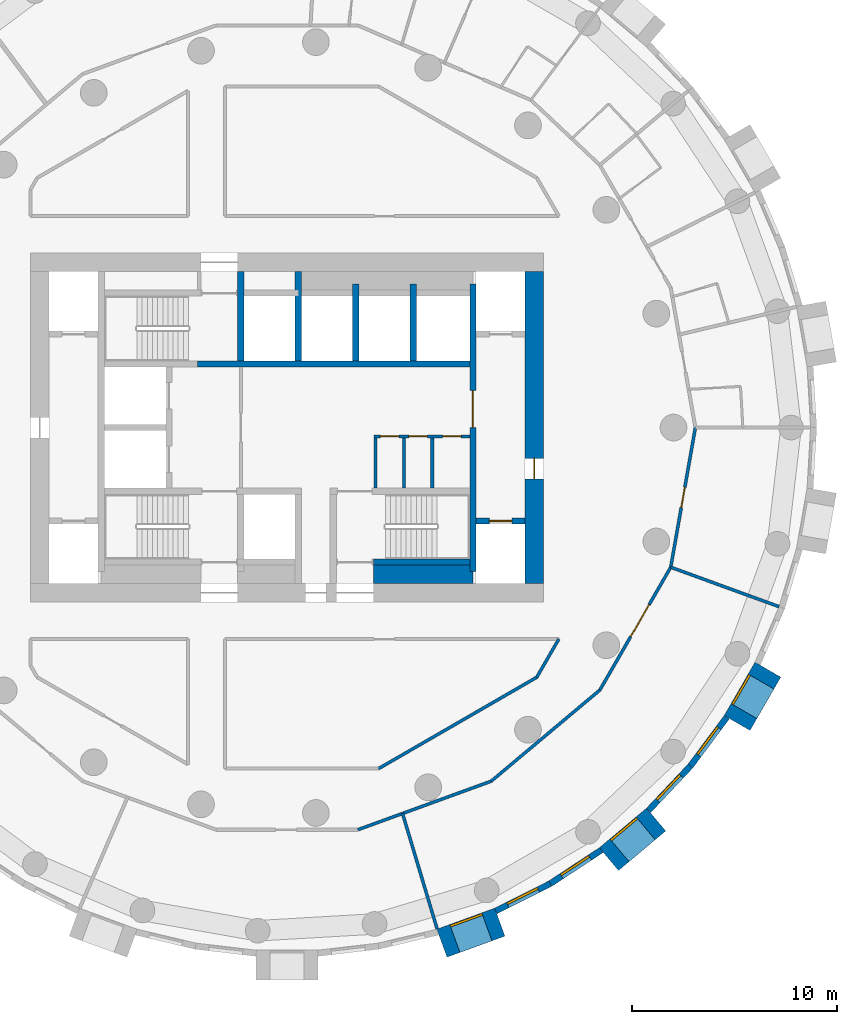
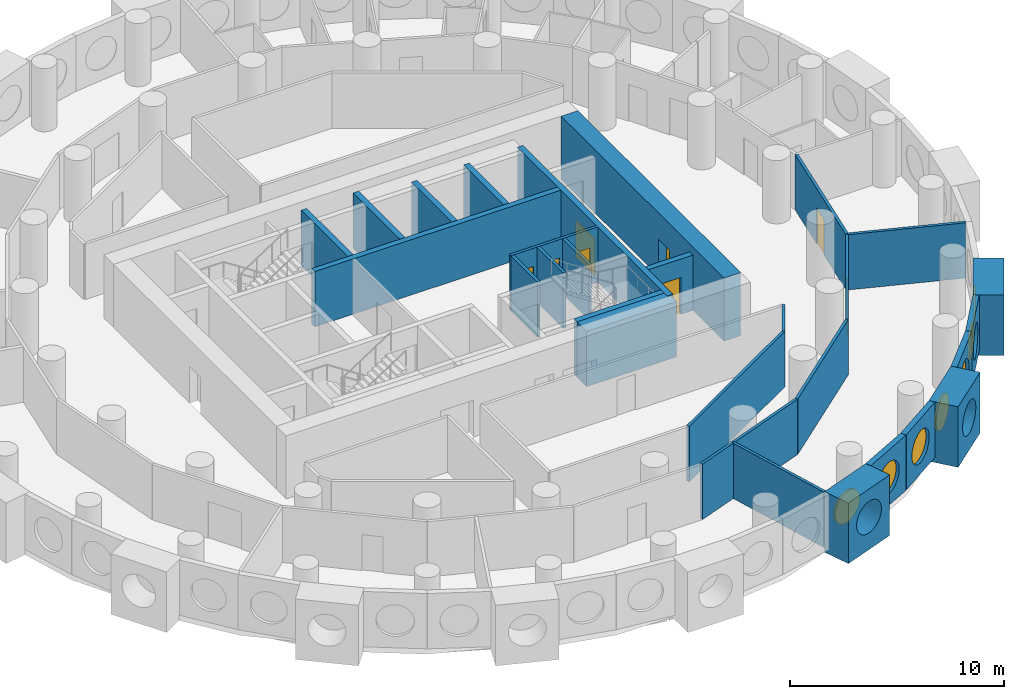
# One storey, part 4 of 9: 29 walls, 8 doors, 7 windows, 15 openings.
"""IFC4 building model written with IfcOpenShell, lengths in metres."""

from ifc_helpers import new_model, si_unit, direction, frame, frame_2d, origin, origin_2d, place, context, subcontext, project, spatial, rectangle, circle, extrude, material, layer, layer_set, type_object, element, fill, save


model = new_model("IFC4")

# Units and contexts
model_context = context("Model", 3, precision=1e-05, world=origin(), true_north=direction((0.0, 1.0)))
body_context = subcontext(model_context, "Body", "Model", "MODEL_VIEW")
ifc_project = project(units=[si_unit("LENGTHUNIT", "METRE"), si_unit("AREAUNIT", "SQUARE_METRE"), si_unit("VOLUMEUNIT", "CUBIC_METRE"), si_unit("PLANEANGLEUNIT", "RADIAN"), si_unit("MASSUNIT", "GRAM", prefix="KILO")], contexts=[model_context])

# Site, building, storey
site_placement = place(None, origin())
site = spatial("IfcSite", under=ifc_project, at=site_placement, CompositionType="ELEMENT")
building_placement = place(site_placement, origin())
building = spatial("IfcBuilding", under=site, at=building_placement, Name="Tracery Tower", CompositionType="ELEMENT")
storey_placement = place(building_placement, frame((0.0, 0.0, 216.0)))
storey = spatial("IfcBuildingStorey", under=building, at=storey_placement, Name="L56", CompositionType="ELEMENT", Elevation=216.0)

# Wall
ifc_material_1 = material(Name="Plasterboard on steel studs", Category="steel")
ifc_layer_1 = layer(ifc_material_1, 0.14990234375)
ifc_layer_set_1 = layer_set([ifc_layer_1], Name="Core room partition 150")
wall_type_1 = type_object("IfcWallType", Name="Core room partition 150", PredefinedType="SOLIDWALL", material=ifc_layer_set_1)
wall_1_placement = place(storey_placement, frame((4.300048828125, -2.949951171875, 0.0), z_axis=(0.0, 0.0, 1.0), x_axis=(0.0, 1.0, 0.0)))
element("IfcWall", 1, at=wall_1_placement, inside=storey, type_object=wall_type_1, Name="L56 slot W", PredefinedType="SOLIDWALL", context=body_context, shape_type="SweptSolid", body=[
    extrude(rectangle(XDim=2.449951171875, YDim=0.14990234375, at=frame_2d((1.22509765625, 0.0))), origin(), (0.0, 0.0, 1.0), 3.14990234375),
])

# Wall, openings, doors
wall_2_placement = place(storey_placement, frame((4.22509765625, -0.425048828125, 0.0), z_axis=(0.0, 0.0, 1.0), x_axis=(1.0, 0.0, 0.0)))
wall_2 = element("IfcWall", 2, at=wall_2_placement, inside=storey, type_object=wall_type_1, Name="L56 slot N", PredefinedType="SOLIDWALL", context=body_context, shape_type="SweptSolid", body=[
    extrude(rectangle(XDim=4.6748046875, YDim=0.14990234375, at=frame_2d((2.33740234375, 0.0))), origin(), (0.0, 0.0, 1.0), 3.14990234375),
])
opening_1_placement = place(wall_2_placement, frame((0.324951171875, 0.0, 0.0)))
opening_1 = element("IfcOpeningElement", 3, at=opening_1_placement, cuts=wall_2, Name="Opening KD27", PredefinedType="OPENING", context=body_context, shape_type="SweptSolid", body=[
    extrude(rectangle(XDim=0.89990234375, YDim=2.10009765625, at=frame_2d((0.449951171875, 1.050048828125))), frame((0.0, 0.074951171875, 0.0), z_axis=(0.0, -1.0, 0.0), x_axis=(1.0, 0.0, 0.0)), (0.0, 0.0, 1.0), 0.14990234375),
])
opening_2_placement = place(wall_2_placement, frame((1.71240234375, 0.0, 0.0)))
opening_2 = element("IfcOpeningElement", 4, at=opening_2_placement, cuts=wall_2, Name="Opening KD26", PredefinedType="OPENING", context=body_context, shape_type="SweptSolid", body=[
    extrude(rectangle(XDim=0.89990234375, YDim=2.10009765625, at=frame_2d((0.449951171875, 1.050048828125))), frame((0.0, 0.074951171875, 0.0), z_axis=(0.0, -1.0, 0.0), x_axis=(1.0, 0.0, 0.0)), (0.0, 0.0, 1.0), 0.14990234375),
])
opening_3_placement = place(wall_2_placement, frame((3.35009765625, 0.0, 0.0)))
opening_3 = element("IfcOpeningElement", 5, at=opening_3_placement, cuts=wall_2, Name="Opening KD22", PredefinedType="OPENING", context=body_context, shape_type="SweptSolid", body=[
    extrude(rectangle(XDim=0.89990234375, YDim=2.10009765625, at=frame_2d((0.449951171875, 1.050048828125))), frame((0.0, 0.074951171875, 0.0), z_axis=(0.0, -1.0, 0.0), x_axis=(1.0, 0.0, 0.0)), (0.0, 0.0, 1.0), 0.14990234375),
])
ifc_material_2 = material(Name="Timber door leaf", Category="wood")
door_type_1 = type_object("IfcDoorType", Name="Core WC door 900", OperationType="NOTDEFINED", PredefinedType="DOOR", material=ifc_material_2)
door_1_placement = place(opening_3_placement, origin())
door_1 = element("IfcDoor", 6, at=door_1_placement, inside=storey, type_object=door_type_1, Name="Core door", OperationType="SINGLE_SWING_RIGHT", OverallHeight=2.10009765625, OverallWidth=0.89990234375, PredefinedType="DOOR", context=body_context, shape_type="SweptSolid", body=[
    extrude(rectangle(XDim=0.89990234375, YDim=2.10009765625, at=frame_2d((0.449951171875, 1.050048828125))), frame((0.0, 0.02490234375, 0.0), z_axis=(0.0, -1.0, 0.0), x_axis=(1.0, 0.0, 0.0)), (0.0, 0.0, 1.0), 0.050048828125),
])
fill(opening_3, door_1)
ifc_material_3 = material(Name="Timber door leaf", Category="wood")
door_type_2 = type_object("IfcDoorType", Name="Core store door 900", OperationType="NOTDEFINED", PredefinedType="DOOR", material=ifc_material_3)
door_2_placement = place(opening_1_placement, origin())
door_2 = element("IfcDoor", 7, at=door_2_placement, inside=storey, type_object=door_type_2, Name="Core door", OperationType="SINGLE_SWING_RIGHT", OverallHeight=2.10009765625, OverallWidth=0.89990234375, PredefinedType="DOOR", context=body_context, shape_type="SweptSolid", body=[
    extrude(rectangle(XDim=0.89990234375, YDim=2.10009765625, at=frame_2d((0.449951171875, 1.050048828125))), frame((0.0, 0.02490234375, 0.0), z_axis=(0.0, -1.0, 0.0), x_axis=(1.0, 0.0, 0.0)), (0.0, 0.0, 1.0), 0.050048828125),
])
fill(opening_1, door_2)
door_3_placement = place(opening_2_placement, origin())
door_3 = element("IfcDoor", 8, at=door_3_placement, inside=storey, type_object=door_type_2, Name="Core door", OperationType="SINGLE_SWING_LEFT", OverallHeight=2.10009765625, OverallWidth=0.89990234375, PredefinedType="DOOR", context=body_context, shape_type="SweptSolid", body=[
    extrude(rectangle(XDim=0.89990234375, YDim=2.10009765625, at=frame_2d((0.449951171875, 1.050048828125))), frame((0.0, 0.02490234375, 0.0), z_axis=(0.0, -1.0, 0.0), x_axis=(1.0, 0.0, 0.0)), (0.0, 0.0, 1.0), 0.050048828125),
])
fill(opening_2, door_3)

# Walls
for number, where, z_axis, x_axis, name in (
    (9, (5.699951171875, -2.949951171875, 0.0), (0.0, 0.0, 1.0), (0.0, 1.0, 0.0), "L56 slot sep 1"),
    (10, (7.074951171875, -2.949951171875, 0.0), (0.0, 0.0, 1.0), (0.0, 1.0, 0.0), "L56 slot sep 2"),
):
    element("IfcWall", number, at=place(storey_placement, frame(where, z_axis=z_axis, x_axis=x_axis)), inside=storey, type_object=wall_type_1, Name=name, PredefinedType="SOLIDWALL", context=body_context, shape_type="SweptSolid", body=[
        extrude(rectangle(XDim=2.449951171875, YDim=0.14990234375, at=frame_2d((1.22509765625, 0.0))), origin(), (0.0, 0.0, 1.0), 3.14990234375),
    ])
ifc_material_4 = material(Name="Concrete C50/60", Category="concrete")
ifc_layer_2 = layer(ifc_material_4, 0.89990234375)
ifc_layer_set_2 = layer_set([ifc_layer_2], Name="Core strip wall 900 C50")
wall_type_2 = type_object("IfcWallType", Name="Core strip wall 900 C50", PredefinedType="SOLIDWALL", material=ifc_layer_set_2)
wall_3_placement = place(storey_placement, frame((4.199951171875, -7.14990234375, 0.0), z_axis=(0.0, 0.0, 1.0), x_axis=(1.0, 0.0, 0.0)))
element("IfcWall", 11, at=wall_3_placement, inside=storey, type_object=wall_type_2, Name="L56 F thick S E", PredefinedType="SOLIDWALL", context=body_context, shape_type="SweptSolid", body=[
    extrude(rectangle(XDim=4.85009765625, YDim=0.89990234375, at=frame_2d((2.425048828125, 0.0))), origin(), (0.0, 0.0, 1.0), 3.14990234375),
])

# Wall, opening, door
ifc_material_5 = material(Name="Concrete C50/60", Category="concrete")
ifc_layer_3 = layer(ifc_material_5, 0.89990234375)
ifc_layer_set_3 = layer_set([ifc_layer_3], Name="Core wall 900 C50")
wall_type_3 = type_object("IfcWallType", Name="Core wall 900 C50", PredefinedType="SOLIDWALL", material=ifc_layer_set_3)
wall_4_placement = place(storey_placement, frame((12.050048828125, -7.60009765625, 0.0), z_axis=(0.0, 0.0, 1.0), x_axis=(0.0, 1.0, 0.0)))
wall_4 = element("IfcWall", 12, at=wall_4_placement, inside=storey, type_object=wall_type_3, Name="L56 outer E", PredefinedType="SOLIDWALL", context=body_context, shape_type="SweptSolid", body=[
    extrude(rectangle(XDim=15.2001953125, YDim=0.89990234375, at=frame_2d((7.60009765625, 0.0))), origin(), (0.0, 0.0, 1.0), 3.60009765625),
])
opening_4_placement = place(wall_4_placement, frame((5.10009765625, 0.0, 0.0)))
opening_4 = element("IfcOpeningElement", 13, at=opening_4_placement, cuts=wall_4, Name="Opening KD18", PredefinedType="OPENING", context=body_context, shape_type="SweptSolid", body=[
    extrude(rectangle(XDim=1.0, YDim=2.10009765625, at=frame_2d((0.5, 1.050048828125))), frame((0.0, 0.449951171875, 0.0), z_axis=(0.0, -1.0, 0.0), x_axis=(1.0, 0.0, 0.0)), (0.0, 0.0, 1.0), 0.89990234375),
])
ifc_material_6 = material(Name="Steel fire door", Category="steel")
door_type_3 = type_object("IfcDoorType", Name="Core exit door 1000", OperationType="NOTDEFINED", PredefinedType="DOOR", material=ifc_material_6)
door_4_placement = place(opening_4_placement, origin())
door_4 = element("IfcDoor", 14, at=door_4_placement, inside=storey, type_object=door_type_3, Name="Core exit door", OperationType="DOUBLE_DOOR_SINGLE_SWING", OverallHeight=2.10009765625, OverallWidth=1.0, PredefinedType="DOOR", context=body_context, shape_type="SweptSolid", body=[
    extrude(rectangle(XDim=1.0, YDim=2.10009765625, at=frame_2d((0.5, 1.050048828125))), frame((0.0, 0.02490234375, 0.0), z_axis=(0.0, -1.0, 0.0), x_axis=(1.0, 0.0, 0.0)), (0.0, 0.0, 1.0), 0.050048828125),
])
fill(opening_4, door_4)

# Wall, opening, window
ifc_material_7 = material(Name="Precast concrete C50/60", Category="concrete")
ifc_layer_4 = layer(ifc_material_7, 1.449951171875)
ifc_layer_set_4 = layer_set([ifc_layer_4], Name="Deep-set bay unit 3000 x 3450, slab edge 300")
wall_type_4 = type_object("IfcWallType", Name="Deep-set bay unit 3000 x 3450, slab edge 300", PredefinedType="ELEMENTEDWALL", material=ifc_layer_set_4)
wall_5_placement = place(storey_placement, frame((7.544189453125, -25.11328125, -0.300048828125), z_axis=(0.0, 0.0, 1.0), x_axis=(0.939686455819, 0.342037080957, 0.0)))
wall_5 = element("IfcWall", 15, at=wall_5_placement, inside=storey, type_object=wall_type_4, Name="Deep-set bay unit 44 at L56", PredefinedType="ELEMENTEDWALL", context=body_context, shape_type="SweptSolid", body=[
    extrude(rectangle(XDim=3.0, YDim=1.449951171875, at=frame_2d((1.5, 0.0))), origin(), (0.0, 0.0, 1.0), 3.449951171875),
])
opening_5_placement = place(wall_5_placement, frame((1.5, 0.0, 1.85009765625)))
opening_5 = element("IfcOpeningElement", 16, at=opening_5_placement, cuts=wall_5, Name="Opening WN1", PredefinedType="OPENING", context=body_context, shape_type="SweptSolid", body=[
    extrude(circle(Radius=0.9000244140625, at=origin_2d()), frame((0.0, 0.73486328125, 0.0), z_axis=(0.0, -1.0, 0.0), x_axis=(1.0, 0.0, 0.0)), (0.0, 0.0, 1.0), 1.469970703125),
])
ifc_material_8 = material(Name="Aluminium frame with tinted double glazing", Category="aluminium")
window_type = type_object("IfcWindowType", Name="Round window 1800", PartitioningType="SINGLE_PANEL", PredefinedType="WINDOW", material=ifc_material_8)
window_1_placement = place(opening_5_placement, origin())
window_1 = element("IfcWindow", 17, at=window_1_placement, inside=storey, type_object=window_type, Name="Round window 44 at L56", OverallHeight=1.800048828125, OverallWidth=1.800048828125, PartitioningType="SINGLE_PANEL", PredefinedType="WINDOW", context=body_context, shape_type="SweptSolid", body=[
    extrude(circle(Radius=0.9000244140625, at=origin_2d()), frame((0.0, 0.69482421875, 0.0), z_axis=(0.0, -1.0, 0.0), x_axis=(1.0, 0.0, 0.0)), (0.0, 0.0, 1.0), 0.10009765625),
])
fill(opening_5, window_1)

wall_6_placement = place(storey_placement, frame((15.678466796875, -21.0185546875, -0.300048828125), z_axis=(0.0, 0.0, 1.0), x_axis=(0.766022196139, 0.642814121673, 0.0)))
wall_6 = element("IfcWall", 18, at=wall_6_placement, inside=storey, type_object=wall_type_4, Name="Deep-set bay unit 47 at L56", PredefinedType="ELEMENTEDWALL", context=body_context, shape_type="SweptSolid", body=[
    extrude(rectangle(XDim=3.0, YDim=1.449951171875, at=frame_2d((1.5, 0.0))), origin(), (0.0, 0.0, 1.0), 3.449951171875),
])
opening_6_placement = place(wall_6_placement, frame((1.5, 0.0, 1.85009765625)))
opening_6 = element("IfcOpeningElement", 19, at=opening_6_placement, cuts=wall_6, Name="Opening WN1", PredefinedType="OPENING", context=body_context, shape_type="SweptSolid", body=[
    extrude(circle(Radius=0.9000244140625, at=origin_2d()), frame((0.0, 0.73486328125, 0.0), z_axis=(0.0, -1.0, 0.0), x_axis=(1.0, 0.0, 0.0)), (0.0, 0.0, 1.0), 1.469970703125),
])
window_2_placement = place(opening_6_placement, origin())
window_2 = element("IfcWindow", 20, at=window_2_placement, inside=storey, type_object=window_type, Name="Round window 47 at L56", OverallHeight=1.800048828125, OverallWidth=1.800048828125, PartitioningType="SINGLE_PANEL", PredefinedType="WINDOW", context=body_context, shape_type="SweptSolid", body=[
    extrude(circle(Radius=0.9000244140625, at=origin_2d()), frame((0.0, 0.69482421875, 0.0), z_axis=(0.0, -1.0, 0.0), x_axis=(1.0, 0.0, 0.0)), (0.0, 0.0, 1.0), 0.10009765625),
])
fill(opening_6, window_2)

wall_7_placement = place(storey_placement, frame((21.921630859375, -14.388671875, -0.300048828125), z_axis=(0.0, 0.0, 1.0), x_axis=(0.499990139034, 0.866031096941, 0.0)))
wall_7 = element("IfcWall", 21, at=wall_7_placement, inside=storey, type_object=wall_type_4, Name="Deep-set bay unit 50 at L56", PredefinedType="ELEMENTEDWALL", context=body_context, shape_type="SweptSolid", body=[
    extrude(rectangle(XDim=3.0, YDim=1.449951171875, at=frame_2d((1.5, 0.0))), origin(), (0.0, 0.0, 1.0), 3.449951171875),
])
opening_7_placement = place(wall_7_placement, frame((1.5, 0.0, 1.85009765625)))
opening_7 = element("IfcOpeningElement", 22, at=opening_7_placement, cuts=wall_7, Name="Opening WN1", PredefinedType="OPENING", context=body_context, shape_type="SweptSolid", body=[
    extrude(circle(Radius=0.9000244140625, at=origin_2d()), frame((0.0, 0.73486328125, 0.0), z_axis=(0.0, -1.0, 0.0), x_axis=(1.0, 0.0, 0.0)), (0.0, 0.0, 1.0), 1.469970703125),
])
window_3_placement = place(opening_7_placement, origin())
window_3 = element("IfcWindow", 23, at=window_3_placement, inside=storey, type_object=window_type, Name="Round window 50 at L56", OverallHeight=1.800048828125, OverallWidth=1.800048828125, PartitioningType="SINGLE_PANEL", PredefinedType="WINDOW", context=body_context, shape_type="SweptSolid", body=[
    extrude(circle(Radius=0.9000244140625, at=origin_2d()), frame((0.0, 0.69482421875, 0.0), z_axis=(0.0, -1.0, 0.0), x_axis=(1.0, 0.0, 0.0)), (0.0, 0.0, 1.0), 0.10009765625),
])
fill(opening_7, window_3)

ifc_material_9 = material(Name="Precast concrete C50/60", Category="concrete")
ifc_layer_5 = layer(ifc_material_9, 0.300048828125)
ifc_layer_set_5 = layer_set([ifc_layer_5], Name="Facade panel 3000 x 3150")
wall_type_5 = type_object("IfcWallType", Name="Facade panel 3000 x 3150", PredefinedType="SOLIDWALL", material=ifc_layer_set_5)
wall_8_placement = place(storey_placement, frame((10.1669921875, -23.545654296875, 0.0), z_axis=(0.0, 0.0, 1.0), x_axis=(0.893637442555, 0.448789618045, 0.0)))
wall_8 = element("IfcWall", 24, at=wall_8_placement, inside=storey, type_object=wall_type_5, Name="Facade panel 45 at L56", PredefinedType="SOLIDWALL", context=body_context, shape_type="SweptSolid", body=[
    extrude(rectangle(XDim=2.972900390625, YDim=0.300048828125, at=frame_2d((1.486328125, 0.0))), origin(), (0.0, 0.0, 1.0), 3.14990234375),
])
opening_8_placement = place(wall_8_placement, frame((1.486328125, 0.0, 1.5498046875)))
opening_8 = element("IfcOpeningElement", 25, at=opening_8_placement, cuts=wall_8, Name="Opening WN1", PredefinedType="OPENING", context=body_context, shape_type="SweptSolid", body=[
    extrude(circle(Radius=0.9000244140625, at=origin_2d()), frame((0.0, 0.159912109375, 0.0), z_axis=(0.0, -1.0, 0.0), x_axis=(1.0, 0.0, 0.0)), (0.0, 0.0, 1.0), 0.320068359375),
])
window_4_placement = place(opening_8_placement, origin())
window_4 = element("IfcWindow", 26, at=window_4_placement, inside=storey, type_object=window_type, Name="Round window 45 at L56", OverallHeight=1.800048828125, OverallWidth=1.800048828125, PartitioningType="SINGLE_PANEL", PredefinedType="WINDOW", context=body_context, shape_type="SweptSolid", body=[
    extrude(circle(Radius=0.9000244140625, at=origin_2d()), frame((0.0, 0.1201171875, 0.0), z_axis=(0.0, -1.0, 0.0), x_axis=(1.0, 0.0, 0.0)), (0.0, 0.0, 1.0), 0.10009765625),
])
fill(opening_8, window_4)

wall_9_placement = place(storey_placement, frame((12.82373046875, -22.21142578125, 0.0), z_axis=(0.0, 0.0, 1.0), x_axis=(0.835470659512, 0.549535055382, 0.0)))
wall_9 = element("IfcWall", 27, at=wall_9_placement, inside=storey, type_object=wall_type_5, Name="Facade panel 46 at L56", PredefinedType="SOLIDWALL", context=body_context, shape_type="SweptSolid", body=[
    extrude(rectangle(XDim=2.97314453125, YDim=0.300048828125, at=frame_2d((1.486572265625, 0.0))), origin(), (0.0, 0.0, 1.0), 3.14990234375),
])
opening_9_placement = place(wall_9_placement, frame((1.486328125, 0.0, 1.5498046875)))
opening_9 = element("IfcOpeningElement", 28, at=opening_9_placement, cuts=wall_9, Name="Opening WN1", PredefinedType="OPENING", context=body_context, shape_type="SweptSolid", body=[
    extrude(circle(Radius=0.9000244140625, at=origin_2d()), frame((0.0, 0.159912109375, 0.0), z_axis=(0.0, -1.0, 0.0), x_axis=(1.0, 0.0, 0.0)), (0.0, 0.0, 1.0), 0.320068359375),
])
window_5_placement = place(opening_9_placement, origin())
window_5 = element("IfcWindow", 29, at=window_5_placement, inside=storey, type_object=window_type, Name="Round window 46 at L56", OverallHeight=1.800048828125, OverallWidth=1.800048828125, PartitioningType="SINGLE_PANEL", PredefinedType="WINDOW", context=body_context, shape_type="SweptSolid", body=[
    extrude(circle(Radius=0.9000244140625, at=origin_2d()), frame((0.0, 0.1201171875, 0.0), z_axis=(0.0, -1.0, 0.0), x_axis=(1.0, 0.0, 0.0)), (0.0, 0.0, 1.0), 0.10009765625),
])
fill(opening_9, window_5)

wall_10_placement = place(storey_placement, frame((17.60693359375, -18.648193359375, 0.0), z_axis=(0.0, 0.0, 1.0), x_axis=(0.686235184166, 0.727379730273, 0.0)))
wall_10 = element("IfcWall", 30, at=wall_10_placement, inside=storey, type_object=wall_type_5, Name="Facade panel 48 at L56", PredefinedType="SOLIDWALL", context=body_context, shape_type="SweptSolid", body=[
    extrude(rectangle(XDim=2.972900390625, YDim=0.300048828125, at=frame_2d((1.486328125, 0.0))), origin(), (0.0, 0.0, 1.0), 3.14990234375),
])
opening_10_placement = place(wall_10_placement, frame((1.486328125, 0.0, 1.5498046875)))
opening_10 = element("IfcOpeningElement", 31, at=opening_10_placement, cuts=wall_10, Name="Opening WN1", PredefinedType="OPENING", context=body_context, shape_type="SweptSolid", body=[
    extrude(circle(Radius=0.9000244140625, at=origin_2d()), frame((0.0, 0.159912109375, 0.0), z_axis=(0.0, -1.0, 0.0), x_axis=(1.0, 0.0, 0.0)), (0.0, 0.0, 1.0), 0.320068359375),
])
window_6_placement = place(opening_10_placement, origin())
window_6 = element("IfcWindow", 32, at=window_6_placement, inside=storey, type_object=window_type, Name="Round window 48 at L56", OverallHeight=1.800048828125, OverallWidth=1.800048828125, PartitioningType="SINGLE_PANEL", PredefinedType="WINDOW", context=body_context, shape_type="SweptSolid", body=[
    extrude(circle(Radius=0.9000244140625, at=origin_2d()), frame((0.0, 0.1201171875, 0.0), z_axis=(0.0, -1.0, 0.0), x_axis=(1.0, 0.0, 0.0)), (0.0, 0.0, 1.0), 0.10009765625),
])
fill(opening_10, window_6)

wall_11_placement = place(storey_placement, frame((19.64697265625, -16.48583984375, 0.0), z_axis=(0.0, 0.0, 1.0), x_axis=(0.597197580538, 0.80209416517, 0.0)))
wall_11 = element("IfcWall", 33, at=wall_11_placement, inside=storey, type_object=wall_type_5, Name="Facade panel 49 at L56", PredefinedType="SOLIDWALL", context=body_context, shape_type="SweptSolid", body=[
    extrude(rectangle(XDim=2.972900390625, YDim=0.300048828125, at=frame_2d((1.486328125, 0.0))), origin(), (0.0, 0.0, 1.0), 3.14990234375),
])
opening_11_placement = place(wall_11_placement, frame((1.486328125, 0.0, 1.5498046875)))
opening_11 = element("IfcOpeningElement", 34, at=opening_11_placement, cuts=wall_11, Name="Opening WN1", PredefinedType="OPENING", context=body_context, shape_type="SweptSolid", body=[
    extrude(circle(Radius=0.9000244140625, at=origin_2d()), frame((0.0, 0.159912109375, 0.0), z_axis=(0.0, -1.0, 0.0), x_axis=(1.0, 0.0, 0.0)), (0.0, 0.0, 1.0), 0.320068359375),
])
window_7_placement = place(opening_11_placement, origin())
window_7 = element("IfcWindow", 35, at=window_7_placement, inside=storey, type_object=window_type, Name="Round window 49 at L56", OverallHeight=1.800048828125, OverallWidth=1.800048828125, PartitioningType="SINGLE_PANEL", PredefinedType="WINDOW", context=body_context, shape_type="SweptSolid", body=[
    extrude(circle(Radius=0.9000244140625, at=origin_2d()), frame((0.0, 0.1201171875, 0.0), z_axis=(0.0, -1.0, 0.0), x_axis=(1.0, 0.0, 0.0)), (0.0, 0.0, 1.0), 0.10009765625),
])
fill(opening_11, window_7)

# Walls
ifc_material_10 = material(Name="Plasterboard on steel studs", Category="steel")
ifc_layer_6 = layer(ifc_material_10, 0.14990234375)
ifc_layer_set_6 = layer_set([ifc_layer_6], Name="Partition 150 acoustic unit wall")
wall_type_6 = type_object("IfcWallType", Name="Partition 150 acoustic unit wall", PredefinedType="PARTITIONING", material=ifc_layer_set_6)
wall_12_placement = place(storey_placement, frame((5.626953125, -18.794921875, 0.0), z_axis=(0.0, 0.0, 1.0), x_axis=(0.286833432865, -0.957980470464, 0.0)))
element("IfcWall", 36, at=wall_12_placement, inside=storey, type_object=wall_type_6, Name="Unit wall RB9-068", PredefinedType="PARTITIONING", context=body_context, shape_type="SweptSolid", body=[
    extrude(rectangle(XDim=5.878173828125, YDim=0.14990234375, at=frame_2d((2.93896484375, 0.0))), origin(), (0.0, 0.0, 1.0), 3.14990234375),
])
wall_13_placement = place(storey_placement, frame((18.68798828125, -6.802001953125, 0.0), z_axis=(0.0, 0.0, 1.0), x_axis=(0.939686652043, -0.342036541866, 0.0)))
element("IfcWall", 37, at=wall_13_placement, inside=storey, type_object=wall_type_6, Name="Unit wall RB9-069", PredefinedType="PARTITIONING", context=body_context, shape_type="SweptSolid", body=[
    extrude(rectangle(XDim=5.6103515625, YDim=0.14990234375, at=frame_2d((2.80517578125, 0.0))), origin(), (0.0, 0.0, 1.0), 3.14990234375),
])
ifc_material_11 = material(Name="Plasterboard on steel studs", Category="steel")
ifc_layer_7 = layer(ifc_material_11, 0.14990234375)
ifc_layer_set_7 = layer_set([ifc_layer_7], Name="Partition 150 corridor wall")
wall_type_7 = type_object("IfcWallType", Name="Partition 150 corridor wall", PredefinedType="PARTITIONING", material=ifc_layer_set_7)
wall_14_placement = place(storey_placement, frame((12.162109375, -12.162109375, 0.0), z_axis=(0.0, 0.0, 1.0), x_axis=(0.499961633463, 0.866047553582, 0.0)))
element("IfcWall", 38, at=wall_14_placement, inside=storey, type_object=wall_type_7, Name="Corridor wall RB9-006", PredefinedType="PARTITIONING", context=body_context, shape_type="SweptSolid", body=[
    extrude(rectangle(XDim=2.150146484375, YDim=0.14990234375, at=frame_2d((1.0751953125, 0.0))), origin(), (0.0, 0.0, 1.0), 3.14990234375),
])

# Wall, opening, door
wall_15_placement = place(storey_placement, frame((15.235107421875, -12.783935546875, 0.0), z_axis=(0.0, 0.0, 1.0), x_axis=(0.499914202267, 0.866074933462, 0.0)))
wall_15 = element("IfcWall", 39, at=wall_15_placement, inside=storey, type_object=wall_type_7, Name="Corridor wall RB9-010", PredefinedType="PARTITIONING", context=body_context, shape_type="SweptSolid", body=[
    extrude(rectangle(XDim=6.906982421875, YDim=0.14990234375, at=frame_2d((3.45361328125, 0.0))), origin(), (0.0, 0.0, 1.0), 3.14990234375),
])
opening_12_placement = place(wall_15_placement, frame((3.003173828125, 0.0, 0.0)))
opening_12 = element("IfcOpeningElement", 40, at=opening_12_placement, cuts=wall_15, Name="Opening RB9-24", PredefinedType="OPENING", context=body_context, shape_type="SweptSolid", body=[
    extrude(rectangle(XDim=1.800048828125, YDim=2.10009765625, at=frame_2d((0.89990234375, 1.050048828125))), frame((0.0, 0.074951171875, 0.0), z_axis=(0.0, -1.0, 0.0), x_axis=(1.0, 0.0, 0.0)), (0.0, 0.0, 1.0), 0.14990234375),
])
ifc_material_12 = material(Name="Timber door leaf", Category="wood")
door_type_4 = type_object("IfcDoorType", Name="Door double lounge 1800", OperationType="NOTDEFINED", PredefinedType="DOOR", material=ifc_material_12)
door_5_placement = place(opening_12_placement, origin())
door_5 = element("IfcDoor", 41, at=door_5_placement, inside=storey, type_object=door_type_4, Name="Double lounge door RB9-24", OperationType="DOUBLE_DOOR_SINGLE_SWING", OverallHeight=2.10009765625, OverallWidth=1.800048828125, PredefinedType="DOOR", context=body_context, shape_type="SweptSolid", body=[
    extrude(rectangle(XDim=1.800048828125, YDim=2.10009765625, at=frame_2d((0.89990234375, 1.050048828125))), frame((0.0, 0.02490234375, 0.0), z_axis=(0.0, -1.0, 0.0), x_axis=(1.0, 0.0, 0.0)), (0.0, 0.0, 1.0), 0.050048828125),
])
fill(opening_12, door_5)

# Wall
wall_16_placement = place(storey_placement, frame((9.943359375, -17.22216796875, 0.0), z_axis=(0.0, 0.0, 1.0), x_axis=(0.766192104565, 0.642611592567, 0.0)))
element("IfcWall", 42, at=wall_16_placement, inside=storey, type_object=wall_type_7, Name="Corridor wall RB9-011", PredefinedType="PARTITIONING", context=body_context, shape_type="SweptSolid", body=[
    extrude(rectangle(XDim=6.906494140625, YDim=0.14990234375, at=frame_2d((3.453125, 0.0))), origin(), (0.0, 0.0, 1.0), 3.14990234375),
])

# Wall, opening, door
wall_17_placement = place(storey_placement, frame((18.68798828125, -6.802001953125, 0.0), z_axis=(0.0, 0.0, 1.0), x_axis=(0.173728873845, 0.98479352069, 0.0)))
wall_17 = element("IfcWall", 43, at=wall_17_placement, inside=storey, type_object=wall_type_7, Name="Corridor wall RB9-012", PredefinedType="PARTITIONING", context=body_context, shape_type="SweptSolid", body=[
    extrude(rectangle(XDim=6.906982421875, YDim=0.14990234375, at=frame_2d((3.45361328125, 0.0))), origin(), (0.0, 0.0, 1.0), 3.14990234375),
])
opening_13_placement = place(wall_17_placement, frame((2.952880859375, 0.0, 0.0)))
opening_13 = element("IfcOpeningElement", 44, at=opening_13_placement, cuts=wall_17, Name="Opening RB9-25", PredefinedType="OPENING", context=body_context, shape_type="SweptSolid", body=[
    extrude(rectangle(XDim=1.0, YDim=2.0400390625, at=frame_2d((0.5, 1.02001953125))), frame((0.0, 0.074951171875, 0.0), z_axis=(0.0, -1.0, 0.0), x_axis=(1.0, 0.0, 0.0)), (0.0, 0.0, 1.0), 0.14990234375),
])
ifc_material_13 = material(Name="Timber door leaf", Category="wood")
door_type_5 = type_object("IfcDoorType", Name="Door communal room 1000", OperationType="NOTDEFINED", PredefinedType="DOOR", material=ifc_material_13)
door_6_placement = place(opening_13_placement, origin())
door_6 = element("IfcDoor", 45, at=door_6_placement, inside=storey, type_object=door_type_5, Name="Communal room door RB9-25", OperationType="SINGLE_SWING_RIGHT", OverallHeight=2.0400390625, OverallWidth=1.0, PredefinedType="DOOR", context=body_context, shape_type="SweptSolid", body=[
    extrude(rectangle(XDim=1.0, YDim=2.0400390625, at=frame_2d((0.5, 1.02001953125))), frame((0.0, 0.02490234375, 0.0), z_axis=(0.0, -1.0, 0.0), x_axis=(1.0, 0.0, 0.0)), (0.0, 0.0, 1.0), 0.050048828125),
])
fill(opening_13, door_6)

# Walls
wall_18_placement = place(storey_placement, frame((4.451904296875, -16.614013671875, 0.0), z_axis=(0.0, 0.0, 1.0), x_axis=(0.866005203721, 0.500034985904, 0.0)))
element("IfcWall", 46, at=wall_18_placement, inside=storey, type_object=wall_type_7, Name="Corridor wall RB9-035", PredefinedType="PARTITIONING", context=body_context, shape_type="SweptSolid", body=[
    extrude(rectangle(XDim=8.903076171875, YDim=0.14990234375, at=frame_2d((4.45166015625, 0.0))), origin(), (0.0, 0.0, 1.0), 3.14990234375),
])
wall_19_placement = place(storey_placement, frame((3.452880859375, -19.5859375, 0.0), z_axis=(0.0, 0.0, 1.0), x_axis=(0.939607544688, 0.342253797591, 0.0)))
element("IfcWall", 47, at=wall_19_placement, inside=storey, type_object=wall_type_7, Name="Corridor wall RB9-037", PredefinedType="PARTITIONING", context=body_context, shape_type="SweptSolid", body=[
    extrude(rectangle(XDim=6.907958984375, YDim=0.14990234375, at=frame_2d((3.4541015625, 0.0))), origin(), (0.0, 0.0, 1.0), 3.14990234375),
])
ifc_material_14 = material(Name="Concrete C50/60", Category="concrete")
ifc_layer_8 = layer(ifc_material_14, 0.300048828125)
ifc_layer_set_8 = layer_set([ifc_layer_8], Name="Shaft wall 300 C50")
wall_type_8 = type_object("IfcWallType", Name="Shaft wall 300 C50", PredefinedType="SOLIDWALL", material=ifc_layer_set_8)
wall_20_placement = place(storey_placement, frame((0.550048828125, 3.25, 0.0), z_axis=(0.0, 0.0, 1.0), x_axis=(0.0, 1.0, 0.0)))
element("IfcWall", 48, at=wall_20_placement, inside=storey, type_object=wall_type_8, Name="L56 HR sep 1", PredefinedType="SOLIDWALL", context=body_context, shape_type="SweptSolid", body=[
    extrude(rectangle(XDim=4.35009765625, YDim=0.300048828125, at=frame_2d((2.175048828125, 0.0))), origin(), (0.0, 0.0, 1.0), 3.14990234375),
])
for number, where, z_axis, x_axis, name in (
    (49, (3.35009765625, 3.25, 0.0), (0.0, 0.0, 1.0), (0.0, 1.0, 0.0), "L56 HR sep 2"),
    (50, (6.14990234375, 3.25, 0.0), (0.0, 0.0, 1.0), (0.0, 1.0, 0.0), "L56 HR sep 3"),
):
    element("IfcWall", number, at=place(storey_placement, frame(where, z_axis=z_axis, x_axis=x_axis)), inside=storey, type_object=wall_type_8, Name=name, PredefinedType="SOLIDWALL", context=body_context, shape_type="SweptSolid", body=[
        extrude(rectangle(XDim=3.75, YDim=0.300048828125, at=frame_2d((1.875, 0.0))), origin(), (0.0, 0.0, 1.0), 3.14990234375),
    ])

# Wall, opening, door
wall_21_placement = place(storey_placement, frame((9.199951171875, -4.550048828125, 0.0), z_axis=(0.0, 0.0, 1.0), x_axis=(1.0, 0.0, 0.0)))
wall_21 = element("IfcWall", 51, at=wall_21_placement, inside=storey, type_object=wall_type_8, Name="L56 MR E -4.55", PredefinedType="SOLIDWALL", context=body_context, shape_type="SweptSolid", body=[
    extrude(rectangle(XDim=2.400146484375, YDim=0.300048828125, at=frame_2d((1.2001953125, 0.0))), origin(), (0.0, 0.0, 1.0), 3.14990234375),
])
opening_14_placement = place(wall_21_placement, frame((0.64990234375, 0.0, 0.0)))
opening_14 = element("IfcOpeningElement", 52, at=opening_14_placement, cuts=wall_21, Name="Opening KD50", PredefinedType="OPENING", context=body_context, shape_type="SweptSolid", body=[
    extrude(rectangle(XDim=1.10009765625, YDim=2.10009765625, at=frame_2d((0.550048828125, 1.050048828125))), frame((0.0, 0.14990234375, 0.0), z_axis=(0.0, -1.0, 0.0), x_axis=(1.0, 0.0, 0.0)), (0.0, 0.0, 1.0), 0.300048828125),
])
ifc_material_15 = material(Name="Steel fire door", Category="steel")
door_type_6 = type_object("IfcDoorType", Name="Landing door 1100", OperationType="NOTDEFINED", PredefinedType="DOOR", material=ifc_material_15)
door_7_placement = place(opening_14_placement, origin())
door_7 = element("IfcDoor", 53, at=door_7_placement, inside=storey, type_object=door_type_6, Name="Landing door MR3", OperationType="SLIDING_TO_RIGHT", OverallHeight=2.10009765625, OverallWidth=1.10009765625, PredefinedType="DOOR", context=body_context, shape_type="SweptSolid", body=[
    extrude(rectangle(XDim=1.10009765625, YDim=2.10009765625, at=frame_2d((0.550048828125, 1.050048828125))), frame((0.0, 0.02490234375, 0.0), z_axis=(0.0, -1.0, 0.0), x_axis=(1.0, 0.0, 0.0)), (0.0, 0.0, 1.0), 0.050048828125),
])
fill(opening_14, door_7)

# Walls
ifc_material_16 = material(Name="Concrete C50/60", Category="concrete")
ifc_layer_9 = layer(ifc_material_16, 0.300048828125)
ifc_layer_set_9 = layer_set([ifc_layer_9], Name="Stair wall 300 C50")
wall_type_9 = type_object("IfcWallType", Name="Stair wall 300 C50", PredefinedType="SOLIDWALL", material=ifc_layer_set_9)
wall_22_placement = place(storey_placement, frame((-4.35009765625, 3.10009765625, 0.0), z_axis=(0.0, 0.0, 1.0), x_axis=(1.0, 0.0, 0.0)))
element("IfcWall", 54, at=wall_22_placement, inside=storey, type_object=wall_type_9, Name="L56 row N", PredefinedType="SOLIDWALL", context=body_context, shape_type="SweptSolid", body=[
    extrude(rectangle(XDim=13.25, YDim=0.300048828125, at=frame_2d((6.625, 0.0))), origin(), (0.0, 0.0, 1.0), 3.14990234375),
])
wall_23_placement = place(storey_placement, frame((-2.25, 3.25, 0.0), z_axis=(0.0, 0.0, 1.0), x_axis=(0.0, 1.0, 0.0)))
element("IfcWall", 55, at=wall_23_placement, inside=storey, type_object=wall_type_9, Name="L56 ST3 E", PredefinedType="SOLIDWALL", context=body_context, shape_type="SweptSolid", body=[
    extrude(rectangle(XDim=4.35009765625, YDim=0.300048828125, at=frame_2d((2.175048828125, 0.0))), origin(), (0.0, 0.0, 1.0), 3.14990234375),
])

# Wall, opening, door
wall_24_placement = place(storey_placement, frame((9.050048828125, -7.0, 0.0), z_axis=(0.0, 0.0, 1.0), x_axis=(0.0, 1.0, 0.0)))
wall_24 = element("IfcWall", 56, at=wall_24_placement, inside=storey, type_object=wall_type_9, Name="L56 F wall +9", PredefinedType="SOLIDWALL", context=body_context, shape_type="SweptSolid", body=[
    extrude(rectangle(XDim=14.0, YDim=0.300048828125, at=frame_2d((7.0, 0.0))), origin(), (0.0, 0.0, 1.0), 3.14990234375),
])
opening_15_placement = place(wall_24_placement, frame((7.0, 0.0, 0.0)))
opening_15 = element("IfcOpeningElement", 57, at=opening_15_placement, cuts=wall_24, Name="Opening KD13", PredefinedType="OPENING", context=body_context, shape_type="SweptSolid", body=[
    extrude(rectangle(XDim=1.800048828125, YDim=2.10009765625, at=frame_2d((0.89990234375, 1.050048828125))), frame((0.0, 0.14990234375, 0.0), z_axis=(0.0, -1.0, 0.0), x_axis=(1.0, 0.0, 0.0)), (0.0, 0.0, 1.0), 0.300048828125),
])
ifc_material_17 = material(Name="Steel fire door", Category="steel")
door_type_7 = type_object("IfcDoorType", Name="Core exit door 1800 double", OperationType="NOTDEFINED", PredefinedType="DOOR", material=ifc_material_17)
door_8_placement = place(opening_15_placement, origin())
door_8 = element("IfcDoor", 58, at=door_8_placement, inside=storey, type_object=door_type_7, Name="Core exit door", OperationType="DOUBLE_DOOR_SINGLE_SWING", OverallHeight=2.10009765625, OverallWidth=1.800048828125, PredefinedType="DOOR", context=body_context, shape_type="SweptSolid", body=[
    extrude(rectangle(XDim=1.800048828125, YDim=2.10009765625, at=frame_2d((0.89990234375, 1.050048828125))), frame((0.0, 0.02490234375, 0.0), z_axis=(0.0, -1.0, 0.0), x_axis=(1.0, 0.0, 0.0)), (0.0, 0.0, 1.0), 0.050048828125),
])
fill(opening_15, door_8)

# Wall
wall_25_placement = place(storey_placement, frame((4.199951171875, -6.550048828125, 0.0), z_axis=(0.0, 0.0, 1.0), x_axis=(1.0, 0.0, 0.0)))
element("IfcWall", 59, at=wall_25_placement, inside=storey, type_object=wall_type_9, Name="L56 F stair strip S E", PredefinedType="SOLIDWALL", context=body_context, shape_type="SweptSolid", body=[
    extrude(rectangle(XDim=4.699951171875, YDim=0.300048828125, at=frame_2d((2.35009765625, 0.0))), origin(), (0.0, 0.0, 1.0), 3.14990234375),
])

save(model, "model.ifc")
